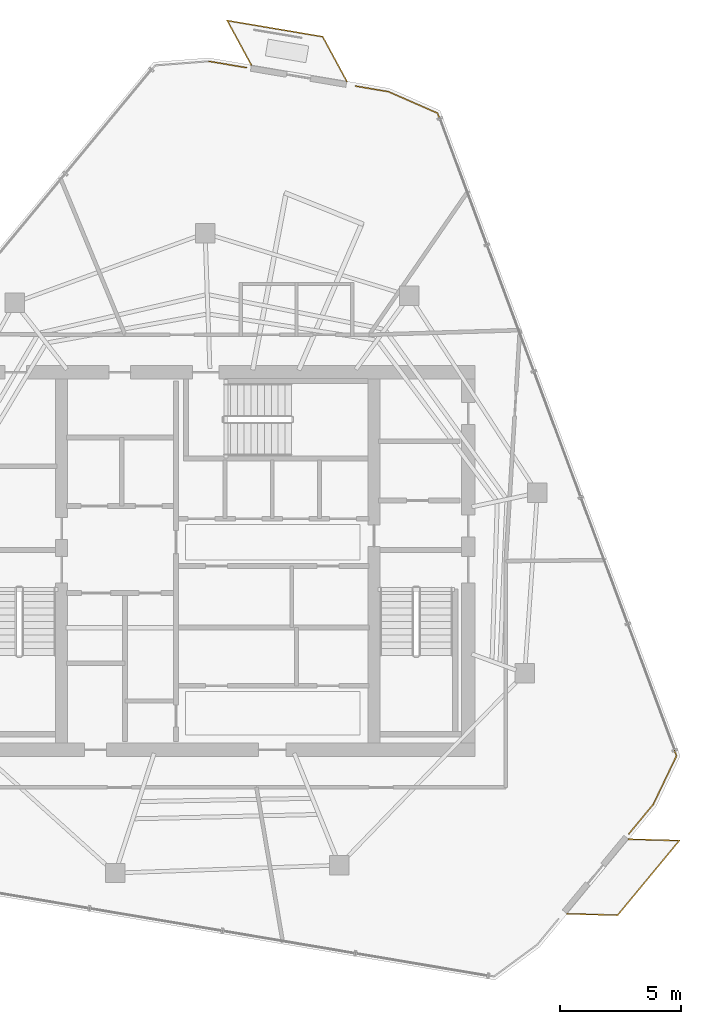
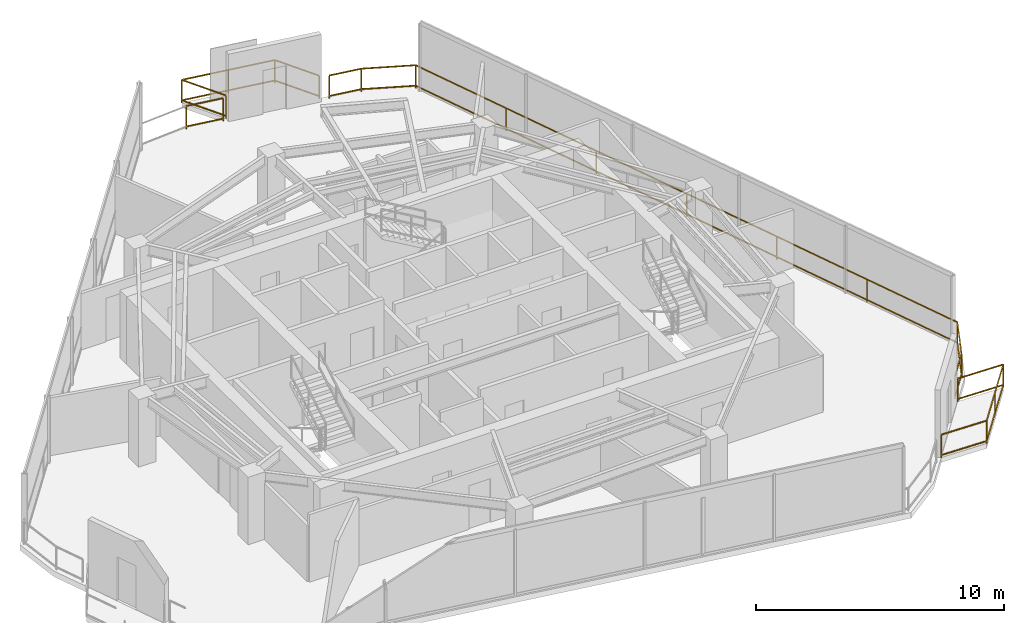
# One storey, part 19 of 19: 4 railings.
"""IFC4 building model written with IfcOpenShell, lengths in metres."""

from ifc_helpers import new_model, si_unit, direction, frame, origin, origin_2d, place, context, subcontext, project, spatial, rectangle, extrude, material, type_object, element, save


model = new_model("IFC4")

# Units and contexts
model_context = context("Model", 3, precision=1e-05, world=origin(), true_north=direction((0.0, 1.0)))
body_context = subcontext(model_context, "Body", "Model", "MODEL_VIEW")
ifc_project = project(units=[si_unit("LENGTHUNIT", "METRE"), si_unit("AREAUNIT", "SQUARE_METRE"), si_unit("VOLUMEUNIT", "CUBIC_METRE"), si_unit("PLANEANGLEUNIT", "RADIAN"), si_unit("MASSUNIT", "GRAM", prefix="KILO")], contexts=[model_context])

# Site, building, storey
site_placement = place(None, origin())
site = spatial("IfcSite", under=ifc_project, at=site_placement, CompositionType="ELEMENT")
building_placement = place(site_placement, origin())
building = spatial("IfcBuilding", under=site, at=building_placement, Name="Qarnah Convention Tower", CompositionType="ELEMENT")
storey_placement = place(building_placement, frame((0.0, 0.0, 257.10009765625)))
storey = spatial("IfcBuildingStorey", under=building, at=storey_placement, Name="L69", CompositionType="ELEMENT", Elevation=257.10009765625)

# Railings
ifc_material = material(Name="Black anodised aluminium", Category="aluminium")
railing_type = type_object("IfcRailingType", Name="RL-EXT-GUARD-1150", PredefinedType="GUARDRAIL", material=ifc_material)
railing_1_placement = place(storey_placement, frame((36.8779296875, 47.050048828125, 0.0)))
element("IfcRailing", 1, at=railing_1_placement, inside=storey, type_object=railing_type, Name="L69 slab-edge perimeter safety guard 01", PredefinedType="GUARDRAIL", context=body_context, shape_type="SweptSolid", body=[
    extrude(rectangle(XDim=0.048095703125, YDim=0.048095703125, at=origin_2d()), frame((0.0, 0.0, 1.1259765625), z_axis=(0.985954014112, -0.167017011281, 0.0), x_axis=(0.167017011281, 0.985954014112, 0.0)), (0.0, 0.0, 1.0), 1.58740234375),
    extrude(rectangle(XDim=0.048095703125, YDim=0.048095703125, at=origin_2d()), frame((0.0, 0.0, 0.1201171875), z_axis=(0.985954014112, -0.167017011281, 0.0), x_axis=(0.167017011281, 0.985954014112, 0.0)), (0.0, 0.0, 1.0), 1.58740234375),
    extrude(rectangle(XDim=0.0419921875, YDim=0.0419921875, at=origin_2d()), origin(), (0.0, 0.0, 1.0), 1.101806640625),
    extrude(rectangle(XDim=0.0419921875, YDim=0.0419921875, at=origin_2d()), frame((1.565185546875, -0.26513671875, 0.0)), (0.0, 0.0, 1.0), 1.101806640625),
])
railing_2_placement = place(storey_placement, frame((42.93798828125, 46.02490234375, 0.0)))
element("IfcRailing", 2, at=railing_2_placement, inside=storey, type_object=railing_type, Name="L69 slab-edge perimeter safety guard 02", PredefinedType="GUARDRAIL", context=body_context, shape_type="SweptSolid", body=[
    extrude(rectangle(XDim=0.048095703125, YDim=0.048095703125, at=origin_2d()), frame((0.0, 0.0, 1.1259765625), z_axis=(0.986075855361, -0.166296143892, 0.0), x_axis=(0.166296143892, 0.986075855361, 0.0)), (0.0, 0.0, 1.0), 1.377197265625),
    extrude(rectangle(XDim=0.048095703125, YDim=0.048095703125, at=origin_2d()), frame((0.0, 0.0, 0.1201171875), z_axis=(0.986075855361, -0.166296143892, 0.0), x_axis=(0.166296143892, 0.986075855361, 0.0)), (0.0, 0.0, 1.0), 1.377197265625),
    extrude(rectangle(XDim=0.048095703125, YDim=0.048095703125, at=origin_2d()), frame((1.35791015625, -0.22900390625, 1.1259765625), z_axis=(0.916260944921, -0.400581927717, 0.0), x_axis=(0.400581927717, 0.916260944921, 0.0)), (0.0, 0.0, 1.0), 2.216552734375),
    extrude(rectangle(XDim=0.048095703125, YDim=0.048095703125, at=origin_2d()), frame((1.35791015625, -0.22900390625, 0.1201171875), z_axis=(0.916260944921, -0.400581927717, 0.0), x_axis=(0.400581927717, 0.916260944921, 0.0)), (0.0, 0.0, 1.0), 2.216552734375),
    extrude(rectangle(XDim=0.048095703125, YDim=0.048095703125, at=origin_2d()), frame((3.388916015625, -1.116943359375, 1.1259765625), z_axis=(0.348592177545, -0.937274502883, 0.0), x_axis=(0.937274502883, 0.348592177545, 0.0)), (0.0, 0.0, 1.0), 28.3310546875),
    extrude(rectangle(XDim=0.048095703125, YDim=0.048095703125, at=origin_2d()), frame((3.388916015625, -1.116943359375, 0.1201171875), z_axis=(0.348592177545, -0.937274502883, 0.0), x_axis=(0.937274502883, 0.348592177545, 0.0)), (0.0, 0.0, 1.0), 28.3310546875),
    extrude(rectangle(XDim=0.048095703125, YDim=0.048095703125, at=origin_2d()), frame((13.264892578125, -27.6708984375, 1.1259765625), z_axis=(-0.431911244567, -0.901916114069, 0.0), x_axis=(0.901916114069, -0.431911244567, 0.0)), (0.0, 0.0, 1.0), 2.217529296875),
    extrude(rectangle(XDim=0.048095703125, YDim=0.048095703125, at=origin_2d()), frame((13.264892578125, -27.6708984375, 0.1201171875), z_axis=(-0.431911244567, -0.901916114069, 0.0), x_axis=(0.901916114069, -0.431911244567, 0.0)), (0.0, 0.0, 1.0), 2.217529296875),
    extrude(rectangle(XDim=0.048095703125, YDim=0.048095703125, at=origin_2d()), frame((12.30712890625, -29.6708984375, 1.1259765625), z_axis=(-0.637246805308, -0.770659788185, 0.0), x_axis=(0.770659788185, -0.637246805308, 0.0)), (0.0, 0.0, 1.0), 1.58837890625),
    extrude(rectangle(XDim=0.048095703125, YDim=0.048095703125, at=origin_2d()), frame((12.30712890625, -29.6708984375, 0.1201171875), z_axis=(-0.637246805308, -0.770659788185, 0.0), x_axis=(0.770659788185, -0.637246805308, 0.0)), (0.0, 0.0, 1.0), 1.58837890625),
    extrude(rectangle(XDim=0.0419921875, YDim=0.0419921875, at=origin_2d()), origin(), (0.0, 0.0, 1.0), 1.101806640625),
    extrude(rectangle(XDim=0.0419921875, YDim=0.0419921875, at=origin_2d()), frame((1.35791015625, -0.22900390625, 0.0)), (0.0, 0.0, 1.0), 1.101806640625),
    extrude(rectangle(XDim=0.0419921875, YDim=0.0419921875, at=origin_2d()), frame((3.388916015625, -1.116943359375, 0.0)), (0.0, 0.0, 1.0), 1.101806640625),
    extrude(rectangle(XDim=0.0419921875, YDim=0.0419921875, at=origin_2d()), frame((5.034912109375, -5.54248046875, 0.0)), (0.0, 0.0, 1.0), 1.101806640625),
    extrude(rectangle(XDim=0.0419921875, YDim=0.0419921875, at=origin_2d()), frame((6.680908203125, -9.96826171875, 0.0)), (0.0, 0.0, 1.0), 1.101806640625),
    extrude(rectangle(XDim=0.0419921875, YDim=0.0419921875, at=origin_2d()), frame((8.326904296875, -14.39404296875, 0.0)), (0.0, 0.0, 1.0), 1.101806640625),
    extrude(rectangle(XDim=0.0419921875, YDim=0.0419921875, at=origin_2d()), frame((9.972900390625, -18.819580078125, 0.0)), (0.0, 0.0, 1.0), 1.101806640625),
    extrude(rectangle(XDim=0.0419921875, YDim=0.0419921875, at=origin_2d()), frame((11.618896484375, -23.2451171875, 0.0)), (0.0, 0.0, 1.0), 1.101806640625),
    extrude(rectangle(XDim=0.0419921875, YDim=0.0419921875, at=origin_2d()), frame((13.264892578125, -27.6708984375, 0.0)), (0.0, 0.0, 1.0), 1.101806640625),
    extrude(rectangle(XDim=0.0419921875, YDim=0.0419921875, at=origin_2d()), frame((12.30712890625, -29.6708984375, 0.0)), (0.0, 0.0, 1.0), 1.101806640625),
    extrude(rectangle(XDim=0.0419921875, YDim=0.0419921875, at=origin_2d()), frame((11.294921875, -30.89501953125, 0.0)), (0.0, 0.0, 1.0), 1.101806640625),
])
railing_3_placement = place(storey_placement, frame((38.636962890625, 46.889892578125, 0.0)))
element("IfcRailing", 3, at=railing_3_placement, inside=storey, type_object=railing_type, Name="L69 balcony safety guard BAL-L69-C1", PredefinedType="GUARDRAIL", context=body_context, shape_type="SweptSolid", body=[
    extrude(rectangle(XDim=0.048095703125, YDim=0.048095703125, at=origin_2d()), frame((0.0, 0.0, 1.1259765625), z_axis=(-0.475573120801, 0.879676194274, 0.0), x_axis=(-0.879676194274, -0.475573120801, 0.0)), (0.0, 0.0, 1.0), 2.093994140625),
    extrude(rectangle(XDim=0.048095703125, YDim=0.048095703125, at=origin_2d()), frame((0.0, 0.0, 0.1201171875), z_axis=(-0.475573120801, 0.879676194274, 0.0), x_axis=(-0.879676194274, -0.475573120801, 0.0)), (0.0, 0.0, 1.0), 2.093994140625),
    extrude(rectangle(XDim=0.048095703125, YDim=0.048095703125, at=origin_2d()), frame((-0.995849609375, 1.842041015625, 1.1259765625), z_axis=(0.985998491776, -0.166754232978, 0.0), x_axis=(0.166754232978, 0.985998491776, 0.0)), (0.0, 0.0, 1.0), 3.999755859375),
    extrude(rectangle(XDim=0.048095703125, YDim=0.048095703125, at=origin_2d()), frame((-0.995849609375, 1.842041015625, 0.1201171875), z_axis=(0.985998491776, -0.166754232978, 0.0), x_axis=(0.166754232978, 0.985998491776, 0.0)), (0.0, 0.0, 1.0), 3.999755859375),
    extrude(rectangle(XDim=0.048095703125, YDim=0.048095703125, at=origin_2d()), frame((2.947998046875, 1.175048828125, 1.1259765625), z_axis=(0.475663334637, -0.879627416627, 0.0), x_axis=(0.879627416627, 0.475663334637, 0.0)), (0.0, 0.0, 1.0), 2.093994140625),
    extrude(rectangle(XDim=0.048095703125, YDim=0.048095703125, at=origin_2d()), frame((2.947998046875, 1.175048828125, 0.1201171875), z_axis=(0.475663334637, -0.879627416627, 0.0), x_axis=(0.879627416627, 0.475663334637, 0.0)), (0.0, 0.0, 1.0), 2.093994140625),
    extrude(rectangle(XDim=0.0419921875, YDim=0.0419921875, at=origin_2d()), origin(), (0.0, 0.0, 1.0), 1.101806640625),
    extrude(rectangle(XDim=0.0419921875, YDim=0.0419921875, at=origin_2d()), frame((-0.995849609375, 1.842041015625, 0.0)), (0.0, 0.0, 1.0), 1.101806640625),
    extrude(rectangle(XDim=0.0419921875, YDim=0.0419921875, at=origin_2d()), frame((0.97607421875, 1.508544921875, 0.0)), (0.0, 0.0, 1.0), 1.101806640625),
    extrude(rectangle(XDim=0.0419921875, YDim=0.0419921875, at=origin_2d()), frame((2.947998046875, 1.175048828125, 0.0)), (0.0, 0.0, 1.0), 1.101806640625),
    extrude(rectangle(XDim=0.0419921875, YDim=0.0419921875, at=origin_2d()), frame((3.944091796875, -0.6669921875, 0.0)), (0.0, 0.0, 1.0), 1.101806640625),
])
railing_4_placement = place(storey_placement, frame((54.22607421875, 14.909912109375, 0.0)))
element("IfcRailing", 4, at=railing_4_placement, inside=storey, type_object=railing_type, Name="L69 balcony safety guard BAL-L69-C3", PredefinedType="GUARDRAIL", context=body_context, shape_type="SweptSolid", body=[
    extrude(rectangle(XDim=0.048095703125, YDim=0.048095703125, at=origin_2d()), frame((0.0, 0.0, 1.1259765625), z_axis=(0.999618097759, -0.027634374101, 0.0), x_axis=(0.027634374101, 0.999618097759, 0.0)), (0.0, 0.0, 1.0), 2.09375),
    extrude(rectangle(XDim=0.048095703125, YDim=0.048095703125, at=origin_2d()), frame((0.0, 0.0, 0.1201171875), z_axis=(0.999618097759, -0.027634374101, 0.0), x_axis=(0.027634374101, 0.999618097759, 0.0)), (0.0, 0.0, 1.0), 2.09375),
    extrude(rectangle(XDim=0.048095703125, YDim=0.048095703125, at=origin_2d()), frame((2.093017578125, -0.057861328125, 1.1259765625), z_axis=(-0.63747902608, -0.770467709452, 0.0), x_axis=(0.770467709452, -0.63747902608, 0.0)), (0.0, 0.0, 1.0), 4.000244140625),
    extrude(rectangle(XDim=0.048095703125, YDim=0.048095703125, at=origin_2d()), frame((2.093017578125, -0.057861328125, 0.1201171875), z_axis=(-0.63747902608, -0.770467709452, 0.0), x_axis=(0.770467709452, -0.63747902608, 0.0)), (0.0, 0.0, 1.0), 4.000244140625),
    extrude(rectangle(XDim=0.048095703125, YDim=0.048095703125, at=origin_2d()), frame((-0.45703125, -3.139892578125, 1.1259765625), z_axis=(-0.999618097759, 0.027634374101, 0.0), x_axis=(-0.027634374101, -0.999618097759, 0.0)), (0.0, 0.0, 1.0), 2.09375),
    extrude(rectangle(XDim=0.048095703125, YDim=0.048095703125, at=origin_2d()), frame((-0.45703125, -3.139892578125, 0.1201171875), z_axis=(-0.999618097759, 0.027634374101, 0.0), x_axis=(-0.027634374101, -0.999618097759, 0.0)), (0.0, 0.0, 1.0), 2.09375),
    extrude(rectangle(XDim=0.0419921875, YDim=0.0419921875, at=origin_2d()), origin(), (0.0, 0.0, 1.0), 1.101806640625),
    extrude(rectangle(XDim=0.0419921875, YDim=0.0419921875, at=origin_2d()), frame((2.093017578125, -0.057861328125, 0.0)), (0.0, 0.0, 1.0), 1.101806640625),
    extrude(rectangle(XDim=0.0419921875, YDim=0.0419921875, at=origin_2d()), frame((0.81787109375, -1.598876953125, 0.0)), (0.0, 0.0, 1.0), 1.101806640625),
    extrude(rectangle(XDim=0.0419921875, YDim=0.0419921875, at=origin_2d()), frame((-0.45703125, -3.139892578125, 0.0)), (0.0, 0.0, 1.0), 1.101806640625),
    extrude(rectangle(XDim=0.0419921875, YDim=0.0419921875, at=origin_2d()), frame((-2.550048828125, -3.08203125, 0.0)), (0.0, 0.0, 1.0), 1.101806640625),
])

save(model, "model.ifc")
